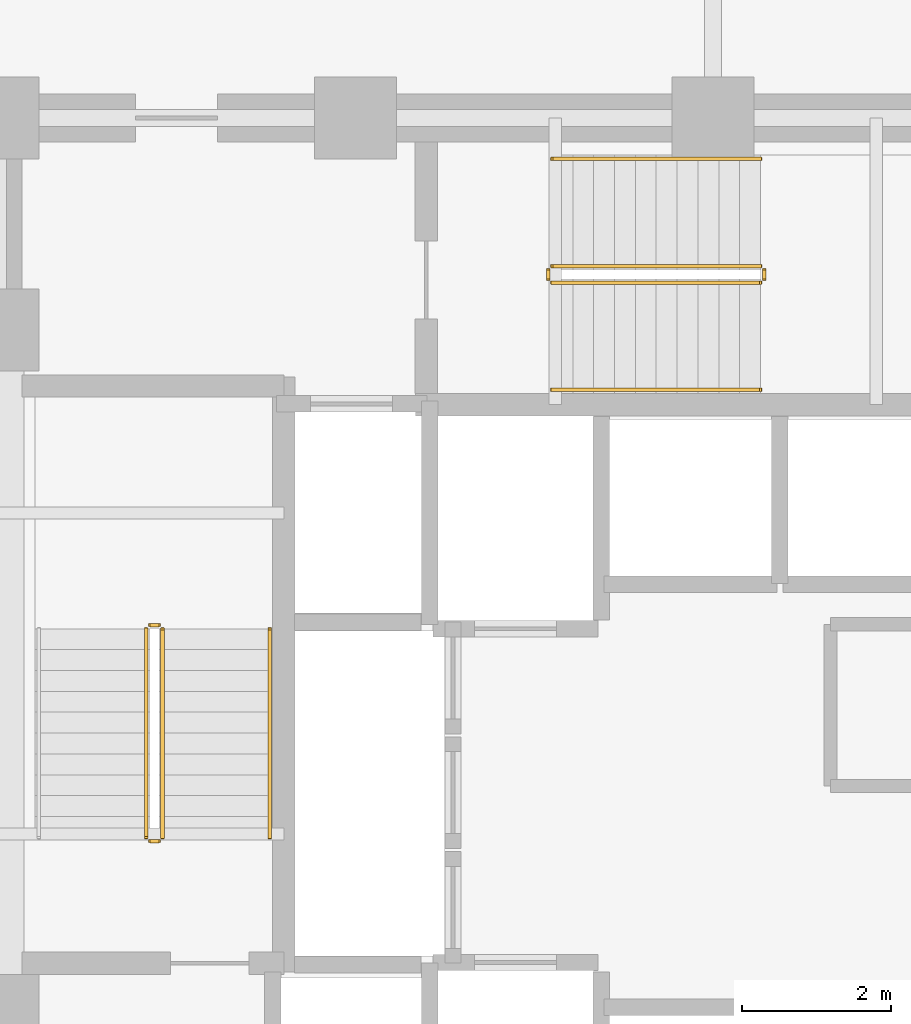
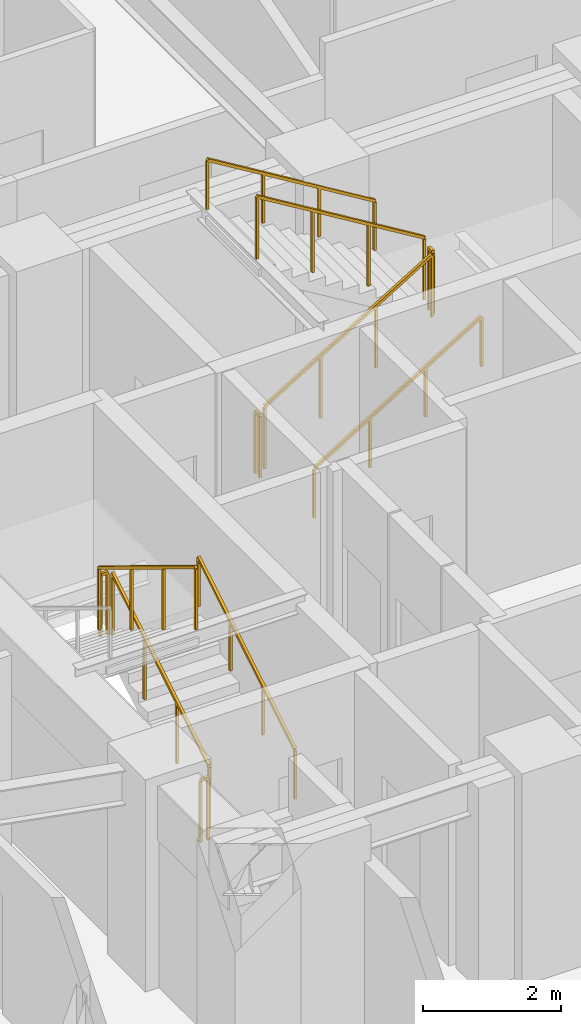
# One storey, part 27 of 30: 11 railings.
"""IFC4 building model written with IfcOpenShell, lengths in metres."""

from ifc_helpers import new_model, si_unit, direction, frame, origin, origin_2d, place, context, subcontext, project, spatial, rectangle, extrude, material, type_object, element, save


model = new_model("IFC4")

# Units and contexts
model_context = context("Model", 3, precision=1e-05, world=origin(), true_north=direction((0.0, 1.0)))
body_context = subcontext(model_context, "Body", "Model", "MODEL_VIEW")
ifc_project = project(units=[si_unit("LENGTHUNIT", "METRE"), si_unit("AREAUNIT", "SQUARE_METRE"), si_unit("VOLUMEUNIT", "CUBIC_METRE"), si_unit("PLANEANGLEUNIT", "RADIAN"), si_unit("MASSUNIT", "GRAM", prefix="KILO")], contexts=[model_context])

# Site, building, storey
site_placement = place(None, origin())
site = spatial("IfcSite", under=ifc_project, at=site_placement, CompositionType="ELEMENT")
building_placement = place(site_placement, origin())
building = spatial("IfcBuilding", under=site, at=building_placement, Name="Vantalir Tower", CompositionType="ELEMENT")
storey_placement = place(building_placement, frame((0.0, 0.0, 79.5)))
storey = spatial("IfcBuildingStorey", under=building, at=storey_placement, Name="L19", CompositionType="ELEMENT", Elevation=79.5)

# Railings
ifc_material_1 = material(Name="Anodised aluminium and stainless steel guard", Category="steel")
railing_type_1 = type_object("IfcRailingType", Name="RAL-GUARD-1120", PredefinedType="GUARDRAIL", material=ifc_material_1)
railing_1_placement = place(storey_placement, frame((24.110107421875, 22.7900390625, 0.17041015625)))
element("IfcRailing", 1, at=railing_1_placement, inside=storey, type_object=railing_type_1, Name="L19 ST1 stair guard 1", PredefinedType="GUARDRAIL", context=body_context, shape_type="SweptSolid", body=[
    extrude(rectangle(XDim=0.048095703125, YDim=0.048095703125, at=origin_2d()), frame((0.0, 0.0, 1.09619140625), z_axis=(0.0, 0.854169791009, 0.51999420009), x_axis=(-1.0, 0.0, 0.0)), (0.0, 0.0, 1.0), 3.278076171875),
    extrude(rectangle(XDim=0.0419921875, YDim=0.0419921875, at=origin_2d()), origin(), (0.0, 0.0, 1.0), 1.072021484375),
    extrude(rectangle(XDim=0.0419921875, YDim=0.0419921875, at=origin_2d()), frame((0.0, 0.933349609375, 0.568115234375)), (0.0, 0.0, 1.0), 1.072021484375),
    extrude(rectangle(XDim=0.0419921875, YDim=0.0419921875, at=origin_2d()), frame((0.0, 1.86669921875, 1.136474609375)), (0.0, 0.0, 1.0), 1.072021484375),
    extrude(rectangle(XDim=0.0419921875, YDim=0.0419921875, at=origin_2d()), frame((0.0, 2.800048828125, 1.70458984375)), (0.0, 0.0, 1.0), 1.072021484375),
])
railing_2_placement = place(storey_placement, frame((24.06005859375, 25.639892578125, 1.875)))
element("IfcRailing", 2, at=railing_2_placement, inside=storey, type_object=railing_type_1, Name="L19 ST1 stair guard 2", PredefinedType="GUARDRAIL", context=body_context, shape_type="SweptSolid", body=[
    extrude(rectangle(XDim=0.048095703125, YDim=0.048095703125, at=origin_2d()), frame((0.0, 0.0, 1.09619140625), z_axis=(-1.0, 0.0, 0.0), x_axis=(0.0, -1.0, 0.0)), (0.0, 0.0, 1.0), 0.1201171875),
    extrude(rectangle(XDim=0.0419921875, YDim=0.0419921875, at=origin_2d()), origin(), (0.0, 0.0, 1.0), 1.072021484375),
    extrude(rectangle(XDim=0.0419921875, YDim=0.0419921875, at=origin_2d()), frame((-0.1201171875, 0.0, 0.0)), (0.0, 0.0, 1.0), 1.072021484375),
])
railing_3_placement = place(storey_placement, frame((23.889892578125, 25.590087890625, 2.04541015625)))
element("IfcRailing", 3, at=railing_3_placement, inside=storey, type_object=railing_type_1, Name="L19 ST1 stair guard 3", PredefinedType="GUARDRAIL", context=body_context, shape_type="SweptSolid", body=[
    extrude(rectangle(XDim=0.048095703125, YDim=0.048095703125, at=origin_2d()), frame((0.0, 0.0, 1.09619140625), z_axis=(0.0, -0.854169791009, 0.51999420009), x_axis=(1.0, 0.0, 0.0)), (0.0, 0.0, 1.0), 3.278076171875),
    extrude(rectangle(XDim=0.0419921875, YDim=0.0419921875, at=origin_2d()), origin(), (0.0, 0.0, 1.0), 1.072021484375),
    extrude(rectangle(XDim=0.0419921875, YDim=0.0419921875, at=origin_2d()), frame((0.0, -0.933349609375, 0.568115234375)), (0.0, 0.0, 1.0), 1.072021484375),
    extrude(rectangle(XDim=0.0419921875, YDim=0.0419921875, at=origin_2d()), frame((0.0, -1.86669921875, 1.136474609375)), (0.0, 0.0, 1.0), 1.072021484375),
    extrude(rectangle(XDim=0.0419921875, YDim=0.0419921875, at=origin_2d()), frame((0.0, -2.800048828125, 1.70458984375)), (0.0, 0.0, 1.0), 1.072021484375),
])
railing_4_placement = place(storey_placement, frame((24.06005859375, 22.739990234375, 0.0)))
element("IfcRailing", 4, at=railing_4_placement, inside=storey, type_object=railing_type_1, Name="L19 ST1 stair guard 4", PredefinedType="GUARDRAIL", context=body_context, shape_type="SweptSolid", body=[
    extrude(rectangle(XDim=0.048095703125, YDim=0.048095703125, at=origin_2d()), frame((0.0, 0.0, 1.09619140625), z_axis=(-1.0, 0.0, 0.0), x_axis=(0.0, -1.0, 0.0)), (0.0, 0.0, 1.0), 0.1201171875),
    extrude(rectangle(XDim=0.0419921875, YDim=0.0419921875, at=origin_2d()), origin(), (0.0, 0.0, 1.0), 1.072021484375),
    extrude(rectangle(XDim=0.0419921875, YDim=0.0419921875, at=origin_2d()), frame((-0.1201171875, 0.0, 0.0)), (0.0, 0.0, 1.0), 1.072021484375),
])
railing_5_placement = place(storey_placement, frame((29.340087890625, 30.239990234375, 0.17041015625)))
element("IfcRailing", 5, at=railing_5_placement, inside=storey, type_object=railing_type_1, Name="L19 ST3 stair guard 1", PredefinedType="GUARDRAIL", context=body_context, shape_type="SweptSolid", body=[
    extrude(rectangle(XDim=0.048095703125, YDim=0.048095703125, at=origin_2d()), frame((0.0, 0.0, 1.09619140625), z_axis=(0.854149651119, 0.0, 0.520027281489), x_axis=(0.0, 1.0, 0.0)), (0.0, 0.0, 1.0), 3.27783203125),
    extrude(rectangle(XDim=0.0419921875, YDim=0.0419921875, at=origin_2d()), origin(), (0.0, 0.0, 1.0), 1.072021484375),
    extrude(rectangle(XDim=0.0419921875, YDim=0.0419921875, at=origin_2d()), frame((0.933349609375, 0.0, 0.568115234375)), (0.0, 0.0, 1.0), 1.072021484375),
    extrude(rectangle(XDim=0.0419921875, YDim=0.0419921875, at=origin_2d()), frame((1.866455078125, 0.0, 1.136474609375)), (0.0, 0.0, 1.0), 1.072021484375),
    extrude(rectangle(XDim=0.0419921875, YDim=0.0419921875, at=origin_2d()), frame((2.7998046875, 0.0, 1.70458984375)), (0.0, 0.0, 1.0), 1.072021484375),
])
railing_6_placement = place(storey_placement, frame((32.18994140625, 30.2900390625, 1.875)))
element("IfcRailing", 6, at=railing_6_placement, inside=storey, type_object=railing_type_1, Name="L19 ST3 stair guard 2", PredefinedType="GUARDRAIL", context=body_context, shape_type="SweptSolid", body=[
    extrude(rectangle(XDim=0.048095703125, YDim=0.048095703125, at=origin_2d()), frame((0.0, 0.0, 1.09619140625), z_axis=(0.0, 1.0, 0.0), x_axis=(-1.0, 0.0, 0.0)), (0.0, 0.0, 1.0), 0.119873046875),
    extrude(rectangle(XDim=0.0419921875, YDim=0.0419921875, at=origin_2d()), origin(), (0.0, 0.0, 1.0), 1.072021484375),
    extrude(rectangle(XDim=0.0419921875, YDim=0.0419921875, at=origin_2d()), frame((0.0, 0.119873046875, 0.0)), (0.0, 0.0, 1.0), 1.072021484375),
])
railing_7_placement = place(storey_placement, frame((32.139892578125, 30.4599609375, 2.04541015625)))
element("IfcRailing", 7, at=railing_7_placement, inside=storey, type_object=railing_type_1, Name="L19 ST3 stair guard 3", PredefinedType="GUARDRAIL", context=body_context, shape_type="SweptSolid", body=[
    extrude(rectangle(XDim=0.048095703125, YDim=0.048095703125, at=origin_2d()), frame((0.0, 0.0, 1.09619140625), z_axis=(-0.854149651119, 0.0, 0.520027281489), x_axis=(0.0, -1.0, 0.0)), (0.0, 0.0, 1.0), 3.27783203125),
    extrude(rectangle(XDim=0.0419921875, YDim=0.0419921875, at=origin_2d()), origin(), (0.0, 0.0, 1.0), 1.072021484375),
    extrude(rectangle(XDim=0.0419921875, YDim=0.0419921875, at=origin_2d()), frame((-0.933349609375, 0.0, 0.568115234375)), (0.0, 0.0, 1.0), 1.072021484375),
    extrude(rectangle(XDim=0.0419921875, YDim=0.0419921875, at=origin_2d()), frame((-1.866455078125, 0.0, 1.136474609375)), (0.0, 0.0, 1.0), 1.072021484375),
    extrude(rectangle(XDim=0.0419921875, YDim=0.0419921875, at=origin_2d()), frame((-2.7998046875, 0.0, 1.70458984375)), (0.0, 0.0, 1.0), 1.072021484375),
])
railing_8_placement = place(storey_placement, frame((29.2900390625, 30.2900390625, 0.0)))
element("IfcRailing", 8, at=railing_8_placement, inside=storey, type_object=railing_type_1, Name="L19 ST3 stair guard 4", PredefinedType="GUARDRAIL", context=body_context, shape_type="SweptSolid", body=[
    extrude(rectangle(XDim=0.048095703125, YDim=0.048095703125, at=origin_2d()), frame((0.0, 0.0, 1.09619140625), z_axis=(0.0, 1.0, 0.0), x_axis=(-1.0, 0.0, 0.0)), (0.0, 0.0, 1.0), 0.119873046875),
    extrude(rectangle(XDim=0.0419921875, YDim=0.0419921875, at=origin_2d()), origin(), (0.0, 0.0, 1.0), 1.072021484375),
    extrude(rectangle(XDim=0.0419921875, YDim=0.0419921875, at=origin_2d()), frame((0.0, 0.119873046875, 0.0)), (0.0, 0.0, 1.0), 1.072021484375),
])
ifc_material_2 = material(Name="Brushed stainless steel tubular handrail", Category="steel")
railing_type_2 = type_object("IfcRailingType", Name="RAL-HANDRAIL-900", PredefinedType="HANDRAIL", material=ifc_material_2)
railing_9_placement = place(storey_placement, frame((25.550048828125, 22.7900390625, 0.17041015625)))
element("IfcRailing", 9, at=railing_9_placement, inside=storey, type_object=railing_type_2, Name="L19 ST1 stair handrail 1", PredefinedType="HANDRAIL", context=body_context, shape_type="SweptSolid", body=[
    extrude(rectangle(XDim=0.048095703125, YDim=0.048095703125, at=origin_2d()), frame((0.0, 0.0, 0.8759765625), z_axis=(0.0, 0.854169791009, 0.51999420009), x_axis=(-1.0, 0.0, 0.0)), (0.0, 0.0, 1.0), 3.278076171875),
    extrude(rectangle(XDim=0.0419921875, YDim=0.0419921875, at=origin_2d()), origin(), (0.0, 0.0, 1.0), 0.851806640625),
    extrude(rectangle(XDim=0.0419921875, YDim=0.0419921875, at=origin_2d()), frame((0.0, 0.933349609375, 0.568115234375)), (0.0, 0.0, 1.0), 0.851806640625),
    extrude(rectangle(XDim=0.0419921875, YDim=0.0419921875, at=origin_2d()), frame((0.0, 1.86669921875, 1.136474609375)), (0.0, 0.0, 1.0), 0.851806640625),
    extrude(rectangle(XDim=0.0419921875, YDim=0.0419921875, at=origin_2d()), frame((0.0, 2.800048828125, 1.70458984375)), (0.0, 0.0, 1.0), 0.851806640625),
])
railing_10_placement = place(storey_placement, frame((29.340087890625, 28.800048828125, 0.17041015625)))
element("IfcRailing", 10, at=railing_10_placement, inside=storey, type_object=railing_type_2, Name="L19 ST3 stair handrail 1", PredefinedType="HANDRAIL", context=body_context, shape_type="SweptSolid", body=[
    extrude(rectangle(XDim=0.048095703125, YDim=0.048095703125, at=origin_2d()), frame((0.0, 0.0, 0.8759765625), z_axis=(0.854149651119, 0.0, 0.520027281489), x_axis=(0.0, 1.0, 0.0)), (0.0, 0.0, 1.0), 3.27783203125),
    extrude(rectangle(XDim=0.0419921875, YDim=0.0419921875, at=origin_2d()), origin(), (0.0, 0.0, 1.0), 0.851806640625),
    extrude(rectangle(XDim=0.0419921875, YDim=0.0419921875, at=origin_2d()), frame((0.933349609375, 0.0, 0.568115234375)), (0.0, 0.0, 1.0), 0.851806640625),
    extrude(rectangle(XDim=0.0419921875, YDim=0.0419921875, at=origin_2d()), frame((1.866455078125, 0.0, 1.136474609375)), (0.0, 0.0, 1.0), 0.851806640625),
    extrude(rectangle(XDim=0.0419921875, YDim=0.0419921875, at=origin_2d()), frame((2.7998046875, 0.0, 1.70458984375)), (0.0, 0.0, 1.0), 0.851806640625),
])
railing_11_placement = place(storey_placement, frame((32.139892578125, 31.89990234375, 2.04541015625)))
element("IfcRailing", 11, at=railing_11_placement, inside=storey, type_object=railing_type_2, Name="L19 ST3 stair handrail 2", PredefinedType="HANDRAIL", context=body_context, shape_type="SweptSolid", body=[
    extrude(rectangle(XDim=0.048095703125, YDim=0.048095703125, at=origin_2d()), frame((0.0, 0.0, 0.8759765625), z_axis=(-0.854149651119, 0.0, 0.520027281489), x_axis=(0.0, -1.0, 0.0)), (0.0, 0.0, 1.0), 3.27783203125),
    extrude(rectangle(XDim=0.0419921875, YDim=0.0419921875, at=origin_2d()), origin(), (0.0, 0.0, 1.0), 0.851806640625),
    extrude(rectangle(XDim=0.0419921875, YDim=0.0419921875, at=origin_2d()), frame((-0.933349609375, 0.0, 0.568115234375)), (0.0, 0.0, 1.0), 0.851806640625),
    extrude(rectangle(XDim=0.0419921875, YDim=0.0419921875, at=origin_2d()), frame((-1.866455078125, 0.0, 1.136474609375)), (0.0, 0.0, 1.0), 0.851806640625),
    extrude(rectangle(XDim=0.0419921875, YDim=0.0419921875, at=origin_2d()), frame((-2.7998046875, 0.0, 1.70458984375)), (0.0, 0.0, 1.0), 0.851806640625),
])

save(model, "model.ifc")
